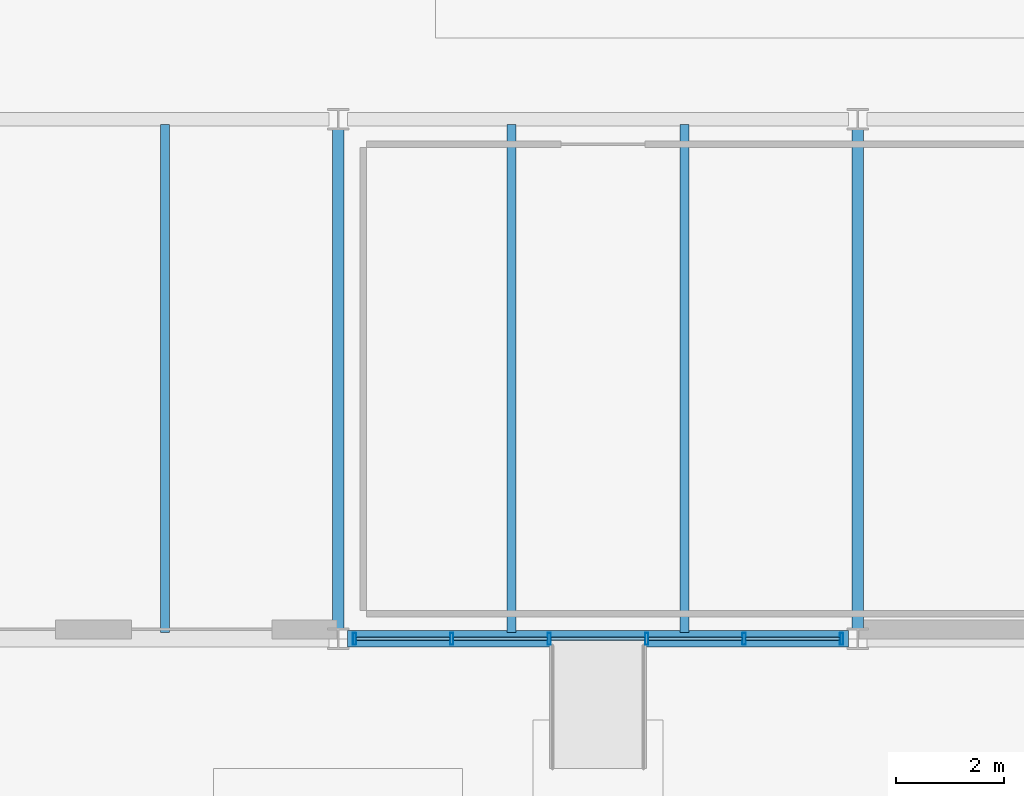
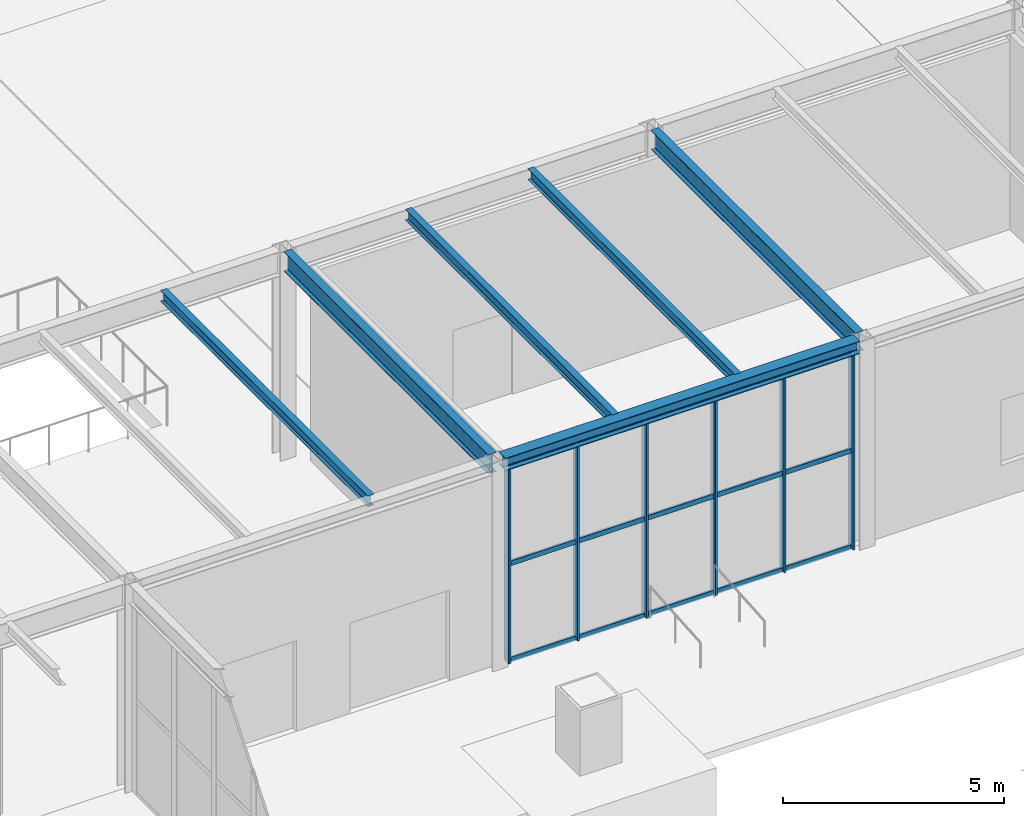
# One storey, part 66 of 142: 21 members, 6 beams, 1 element without a shape of its own.
"""IFC4 building model written with IfcOpenShell, lengths in metres."""

from ifc_helpers import new_model, si_unit, direction, frame, origin, origin_2d, place, context, subcontext, project, spatial, hollow_rectangle, i_section, extrude, material, material_profile, profile_set, type_object, element, aggregate, save


model = new_model("IFC4")

# Units and contexts
model_context = context("Model", 3, precision=1e-05, world=origin(), true_north=direction((0.0, 1.0)))
body_context = subcontext(model_context, "Body", "Model", "MODEL_VIEW")
ifc_project = project(units=[si_unit("LENGTHUNIT", "METRE"), si_unit("AREAUNIT", "SQUARE_METRE"), si_unit("VOLUMEUNIT", "CUBIC_METRE"), si_unit("PLANEANGLEUNIT", "RADIAN"), si_unit("MASSUNIT", "GRAM", prefix="KILO")], contexts=[model_context])

# Site, building, storey
site_placement = place(None, origin())
site = spatial("IfcSite", under=ifc_project, at=site_placement, CompositionType="ELEMENT")
building_placement = place(site_placement, origin())
building = spatial("IfcBuilding", under=site, at=building_placement, Name="Coralgate Yard Interchange", CompositionType="ELEMENT")
storey_placement = place(building_placement, origin())
storey = spatial("IfcBuildingStorey", under=building, at=storey_placement, Name="L00", CompositionType="ELEMENT", Elevation=0.0)

# Beams
ifc_material_1 = material(Name="Structural steel S355J2", Category="steel")
ifc_material_profile_1 = material_profile(ifc_material_1, i_section(OverallWidth=0.209228515625, OverallDepth=0.533203125, WebThickness=0.010009765625, FlangeThickness=0.015625, FilletRadius=0.0126953125, at=origin_2d()), Name="UB 533x210x92")
ifc_profile_set_1 = profile_set([ifc_material_profile_1], Name="Structural steel S355J2")
beam_type_1 = type_object("IfcBeamType", Name="BM-SB-1", PredefinedType="BEAM", material=ifc_profile_set_1)
for number, where, z_axis, x_axis, name in (
    (1, (67.199951171875, 38.56689453125, 5.4833984375), (0.0, 1.0, 0.0), (-1.0, 0.0, 0.0), "L00 primary grid girder X7 Y4-5"),
    (2, (76.800048828125, 38.56689453125, 5.4833984375), (0.0, 1.0, 0.0), (-1.0, 0.0, 0.0), "L00 primary grid girder X8 Y4-5"),
):
    element("IfcBeam", number, at=place(storey_placement, frame(where, z_axis=z_axis, x_axis=x_axis)), inside=storey, type_object=beam_type_1, Name=name, PredefinedType="BEAM", context=body_context, shape_type="SweptSolid", body=[
        extrude(i_section(OverallWidth=0.209228515625, OverallDepth=0.533203125, WebThickness=0.010009765625, FlangeThickness=0.015625, FilletRadius=0.0126953125, at=origin_2d()), origin(), (0.0, 0.0, 1.0), 9.266357421875),
    ])
ifc_material_profile_2 = material_profile(ifc_material_1, i_section(OverallWidth=0.1650390625, OverallDepth=0.303466796875, WebThickness=0.006103515625, FlangeThickness=0.01025390625, FilletRadius=0.0087890625, at=origin_2d()), Name="UB 305x165x40")
ifc_profile_set_2 = profile_set([ifc_material_profile_2], Name="Structural steel S355J2")
beam_type_2 = type_object("IfcBeamType", Name="BM-SJ-1", PredefinedType="JOIST", material=ifc_profile_set_2)
for number, where, z_axis, x_axis, name in (
    (3, (64.0, 38.52001953125, 5.598388671875), (0.0, 1.0, 0.0), (-1.0, 0.0, 0.0), "L00 composite floor joist 6-4-2"),
    (4, (70.39990234375, 38.52001953125, 5.598388671875), (0.0, 1.0, 0.0), (-1.0, 0.0, 0.0), "L00 composite floor joist 7-4-1"),
    (5, (73.60009765625, 38.52001953125, 5.598388671875), (0.0, 1.0, 0.0), (-1.0, 0.0, 0.0), "L00 composite floor joist 7-4-2"),
):
    element("IfcBeam", number, at=place(storey_placement, frame(where, z_axis=z_axis, x_axis=x_axis)), inside=storey, type_object=beam_type_2, Name=name, PredefinedType="JOIST", context=body_context, shape_type="SweptSolid", body=[
        extrude(i_section(OverallWidth=0.1650390625, OverallDepth=0.303466796875, WebThickness=0.006103515625, FlangeThickness=0.01025390625, FilletRadius=0.0087890625, at=origin_2d()), origin(), (0.0, 0.0, 1.0), 9.383056640625),
    ])
ifc_material_profile_3 = material_profile(ifc_material_1, i_section(OverallWidth=0.300048828125, OverallDepth=0.35009765625, WebThickness=0.010009765625, FlangeThickness=0.017578125, FilletRadius=0.027099609375, at=origin_2d()), Name="HEA 360")
ifc_profile_set_3 = profile_set([ifc_material_profile_3], Name="Structural steel S355J2")
beam_type_3 = type_object("IfcBeamType", Name="BM-SP-1", PredefinedType="SPANDREL", material=ifc_profile_set_3)
beam_placement = place(storey_placement, frame((67.369384765625, 38.39990234375, 5.574951171875), z_axis=(1.0, 0.0, 0.0), x_axis=(0.0, 1.0, 0.0)))
element("IfcBeam", 6, at=beam_placement, inside=storey, type_object=beam_type_3, Name="L00 primary grid beam Y4 X7-8", PredefinedType="SPANDREL", context=body_context, shape_type="SweptSolid", body=[
    extrude(i_section(OverallWidth=0.300048828125, OverallDepth=0.35009765625, WebThickness=0.010009765625, FlangeThickness=0.017578125, FilletRadius=0.027099609375, at=origin_2d()), origin(), (0.0, 0.0, 1.0), 9.26123046875),
])

# Curtain wall, members
ifc_material_2 = material(Name="Anodised coastal aluminium and solar-control low-E glass", Category="aluminium")
curtain_wall_type = type_object("IfcCurtainWallType", Name="CW-CW-L00-A", PredefinedType="NOTDEFINED", material=ifc_material_2)
curtain_wall_placement = place(storey_placement, origin())
curtain_wall = element("IfcCurtainWall", 7, at=curtain_wall_placement, inside=storey, type_object=curtain_wall_type, Name="L00 unitised curtain wall CW-L00-S-07-04", PredefinedType="NOTDEFINED")
ifc_material_3 = material(Name="Anodised coastal aluminium 6063-T6", Category="aluminium")
ifc_material_profile_4 = material_profile(ifc_material_3, hollow_rectangle(XDim=0.06005859375, YDim=0.219970703125, WallThickness=0.00390625, InnerFilletRadius=0.00390625, OuterFilletRadius=0.008056640625, at=origin_2d()), Name="ALU 60x220x4")
ifc_profile_set_4 = profile_set([ifc_material_profile_4], Name="Anodised coastal aluminium 6063-T6")
member_type_1 = type_object("IfcMemberType", Name="MB-MUL-220", PredefinedType="MULLION", material=ifc_profile_set_4)
member_1_placement = place(storey_placement, frame((76.5, 38.39990234375, 0.0), z_axis=(0.0, 0.0, 1.0), x_axis=(1.0, 0.0, 0.0)))
member_1 = element("IfcMember", 8, at=member_1_placement, type_object=member_type_1, Name="CW-L00-S-07-04 vertical mullion 1", PredefinedType="MULLION", context=body_context, shape_type="SweptSolid", body=[
    extrude(hollow_rectangle(XDim=0.06005859375, YDim=0.219970703125, WallThickness=0.00390625, InnerFilletRadius=0.00390625, OuterFilletRadius=0.008056640625, at=origin_2d()), origin(), (0.0, 0.0, 1.0), 5.39990234375),
])
member_2_placement = place(storey_placement, frame((74.699951171875, 38.39990234375, 0.0), z_axis=(0.0, 0.0, 1.0), x_axis=(1.0, 0.0, 0.0)))
member_2 = element("IfcMember", 9, at=member_2_placement, type_object=member_type_1, Name="CW-L00-S-07-04 vertical mullion 2", PredefinedType="MULLION", context=body_context, shape_type="SweptSolid", body=[
    extrude(hollow_rectangle(XDim=0.06005859375, YDim=0.219970703125, WallThickness=0.00390625, InnerFilletRadius=0.00390625, OuterFilletRadius=0.008056640625, at=origin_2d()), origin(), (0.0, 0.0, 1.0), 5.39990234375),
])
member_3_placement = place(storey_placement, frame((72.89990234375, 38.39990234375, 0.0), z_axis=(0.0, 0.0, 1.0), x_axis=(1.0, 0.0, 0.0)))
member_3 = element("IfcMember", 10, at=member_3_placement, type_object=member_type_1, Name="CW-L00-S-07-04 vertical mullion 3", PredefinedType="MULLION", context=body_context, shape_type="SweptSolid", body=[
    extrude(hollow_rectangle(XDim=0.06005859375, YDim=0.219970703125, WallThickness=0.00390625, InnerFilletRadius=0.00390625, OuterFilletRadius=0.008056640625, at=origin_2d()), origin(), (0.0, 0.0, 1.0), 5.39990234375),
])
member_4_placement = place(storey_placement, frame((71.10009765625, 38.39990234375, 0.0), z_axis=(0.0, 0.0, 1.0), x_axis=(1.0, 0.0, 0.0)))
member_4 = element("IfcMember", 11, at=member_4_placement, type_object=member_type_1, Name="CW-L00-S-07-04 vertical mullion 4", PredefinedType="MULLION", context=body_context, shape_type="SweptSolid", body=[
    extrude(hollow_rectangle(XDim=0.06005859375, YDim=0.219970703125, WallThickness=0.00390625, InnerFilletRadius=0.00390625, OuterFilletRadius=0.008056640625, at=origin_2d()), origin(), (0.0, 0.0, 1.0), 5.39990234375),
])
member_5_placement = place(storey_placement, frame((69.300048828125, 38.39990234375, 0.0), z_axis=(0.0, 0.0, 1.0), x_axis=(1.0, 0.0, 0.0)))
member_5 = element("IfcMember", 12, at=member_5_placement, type_object=member_type_1, Name="CW-L00-S-07-04 vertical mullion 5", PredefinedType="MULLION", context=body_context, shape_type="SweptSolid", body=[
    extrude(hollow_rectangle(XDim=0.06005859375, YDim=0.219970703125, WallThickness=0.00390625, InnerFilletRadius=0.00390625, OuterFilletRadius=0.008056640625, at=origin_2d()), origin(), (0.0, 0.0, 1.0), 5.39990234375),
])
member_6_placement = place(storey_placement, frame((67.5, 38.39990234375, 0.0), z_axis=(0.0, 0.0, 1.0), x_axis=(1.0, 0.0, 0.0)))
member_6 = element("IfcMember", 13, at=member_6_placement, type_object=member_type_1, Name="CW-L00-S-07-04 vertical mullion 6", PredefinedType="MULLION", context=body_context, shape_type="SweptSolid", body=[
    extrude(hollow_rectangle(XDim=0.06005859375, YDim=0.219970703125, WallThickness=0.00390625, InnerFilletRadius=0.00390625, OuterFilletRadius=0.008056640625, at=origin_2d()), origin(), (0.0, 0.0, 1.0), 5.39990234375),
])
ifc_material_profile_5 = material_profile(ifc_material_3, hollow_rectangle(XDim=0.06005859375, YDim=0.139892578125, WallThickness=0.00341796875, InnerFilletRadius=0.00341796875, OuterFilletRadius=0.007080078125, at=origin_2d()), Name="ALU 60x140x3.5")
ifc_profile_set_5 = profile_set([ifc_material_profile_5], Name="Anodised coastal aluminium 6063-T6")
member_type_2 = type_object("IfcMemberType", Name="MB-TRN-140", PredefinedType="USERDEFINED", material=ifc_profile_set_5)
member_7_placement = place(storey_placement, frame((76.469970703125, 38.39990234375, 0.034912109375), z_axis=(-1.0, 0.0, 0.0), x_axis=(0.0, -1.0, 0.0)))
member_7 = element("IfcMember", 14, at=member_7_placement, type_object=member_type_2, Name="CW-L00-S-07-04 horizontal transom 1-1", ObjectType="TRANSOM", PredefinedType="USERDEFINED", context=body_context, shape_type="SweptSolid", body=[
    extrude(hollow_rectangle(XDim=0.06005859375, YDim=0.139892578125, WallThickness=0.00341796875, InnerFilletRadius=0.00341796875, OuterFilletRadius=0.007080078125, at=origin_2d()), origin(), (0.0, 0.0, 1.0), 1.739990234375),
])
member_8_placement = place(storey_placement, frame((76.469970703125, 38.39990234375, 2.699951171875), z_axis=(-1.0, 0.0, 0.0), x_axis=(0.0, -1.0, 0.0)))
member_8 = element("IfcMember", 15, at=member_8_placement, type_object=member_type_2, Name="CW-L00-S-07-04 horizontal transom 1-2", ObjectType="TRANSOM", PredefinedType="USERDEFINED", context=body_context, shape_type="SweptSolid", body=[
    extrude(hollow_rectangle(XDim=0.06005859375, YDim=0.139892578125, WallThickness=0.00341796875, InnerFilletRadius=0.00341796875, OuterFilletRadius=0.007080078125, at=origin_2d()), origin(), (0.0, 0.0, 1.0), 1.739990234375),
])
member_9_placement = place(storey_placement, frame((76.469970703125, 38.39990234375, 5.364990234375), z_axis=(-1.0, 0.0, 0.0), x_axis=(0.0, -1.0, 0.0)))
member_9 = element("IfcMember", 16, at=member_9_placement, type_object=member_type_2, Name="CW-L00-S-07-04 horizontal transom 1-3", ObjectType="TRANSOM", PredefinedType="USERDEFINED", context=body_context, shape_type="SweptSolid", body=[
    extrude(hollow_rectangle(XDim=0.06005859375, YDim=0.139892578125, WallThickness=0.00341796875, InnerFilletRadius=0.00341796875, OuterFilletRadius=0.007080078125, at=origin_2d()), origin(), (0.0, 0.0, 1.0), 1.739990234375),
])
member_10_placement = place(storey_placement, frame((74.669921875, 38.39990234375, 0.034912109375), z_axis=(-1.0, 0.0, 0.0), x_axis=(0.0, -1.0, 0.0)))
member_10 = element("IfcMember", 17, at=member_10_placement, type_object=member_type_2, Name="CW-L00-S-07-04 horizontal transom 2-1", ObjectType="TRANSOM", PredefinedType="USERDEFINED", context=body_context, shape_type="SweptSolid", body=[
    extrude(hollow_rectangle(XDim=0.06005859375, YDim=0.139892578125, WallThickness=0.00341796875, InnerFilletRadius=0.00341796875, OuterFilletRadius=0.007080078125, at=origin_2d()), origin(), (0.0, 0.0, 1.0), 1.739990234375),
])
member_11_placement = place(storey_placement, frame((74.669921875, 38.39990234375, 2.699951171875), z_axis=(-1.0, 0.0, 0.0), x_axis=(0.0, -1.0, 0.0)))
member_11 = element("IfcMember", 18, at=member_11_placement, type_object=member_type_2, Name="CW-L00-S-07-04 horizontal transom 2-2", ObjectType="TRANSOM", PredefinedType="USERDEFINED", context=body_context, shape_type="SweptSolid", body=[
    extrude(hollow_rectangle(XDim=0.06005859375, YDim=0.139892578125, WallThickness=0.00341796875, InnerFilletRadius=0.00341796875, OuterFilletRadius=0.007080078125, at=origin_2d()), origin(), (0.0, 0.0, 1.0), 1.739990234375),
])
member_12_placement = place(storey_placement, frame((74.669921875, 38.39990234375, 5.364990234375), z_axis=(-1.0, 0.0, 0.0), x_axis=(0.0, -1.0, 0.0)))
member_12 = element("IfcMember", 19, at=member_12_placement, type_object=member_type_2, Name="CW-L00-S-07-04 horizontal transom 2-3", ObjectType="TRANSOM", PredefinedType="USERDEFINED", context=body_context, shape_type="SweptSolid", body=[
    extrude(hollow_rectangle(XDim=0.06005859375, YDim=0.139892578125, WallThickness=0.00341796875, InnerFilletRadius=0.00341796875, OuterFilletRadius=0.007080078125, at=origin_2d()), origin(), (0.0, 0.0, 1.0), 1.739990234375),
])
member_13_placement = place(storey_placement, frame((72.8701171875, 38.39990234375, 0.034912109375), z_axis=(-1.0, 0.0, 0.0), x_axis=(0.0, -1.0, 0.0)))
member_13 = element("IfcMember", 20, at=member_13_placement, type_object=member_type_2, Name="CW-L00-S-07-04 horizontal transom 3-1", ObjectType="TRANSOM", PredefinedType="USERDEFINED", context=body_context, shape_type="SweptSolid", body=[
    extrude(hollow_rectangle(XDim=0.06005859375, YDim=0.139892578125, WallThickness=0.00341796875, InnerFilletRadius=0.00341796875, OuterFilletRadius=0.007080078125, at=origin_2d()), origin(), (0.0, 0.0, 1.0), 1.740234375),
])
member_14_placement = place(storey_placement, frame((72.8701171875, 38.39990234375, 2.699951171875), z_axis=(-1.0, 0.0, 0.0), x_axis=(0.0, -1.0, 0.0)))
member_14 = element("IfcMember", 21, at=member_14_placement, type_object=member_type_2, Name="CW-L00-S-07-04 horizontal transom 3-2", ObjectType="TRANSOM", PredefinedType="USERDEFINED", context=body_context, shape_type="SweptSolid", body=[
    extrude(hollow_rectangle(XDim=0.06005859375, YDim=0.139892578125, WallThickness=0.00341796875, InnerFilletRadius=0.00341796875, OuterFilletRadius=0.007080078125, at=origin_2d()), origin(), (0.0, 0.0, 1.0), 1.740234375),
])
member_15_placement = place(storey_placement, frame((72.8701171875, 38.39990234375, 5.364990234375), z_axis=(-1.0, 0.0, 0.0), x_axis=(0.0, -1.0, 0.0)))
member_15 = element("IfcMember", 22, at=member_15_placement, type_object=member_type_2, Name="CW-L00-S-07-04 horizontal transom 3-3", ObjectType="TRANSOM", PredefinedType="USERDEFINED", context=body_context, shape_type="SweptSolid", body=[
    extrude(hollow_rectangle(XDim=0.06005859375, YDim=0.139892578125, WallThickness=0.00341796875, InnerFilletRadius=0.00341796875, OuterFilletRadius=0.007080078125, at=origin_2d()), origin(), (0.0, 0.0, 1.0), 1.740234375),
])
member_16_placement = place(storey_placement, frame((71.070068359375, 38.39990234375, 0.034912109375), z_axis=(-1.0, 0.0, 0.0), x_axis=(0.0, -1.0, 0.0)))
member_16 = element("IfcMember", 23, at=member_16_placement, type_object=member_type_2, Name="CW-L00-S-07-04 horizontal transom 4-1", ObjectType="TRANSOM", PredefinedType="USERDEFINED", context=body_context, shape_type="SweptSolid", body=[
    extrude(hollow_rectangle(XDim=0.06005859375, YDim=0.139892578125, WallThickness=0.00341796875, InnerFilletRadius=0.00341796875, OuterFilletRadius=0.007080078125, at=origin_2d()), origin(), (0.0, 0.0, 1.0), 1.739990234375),
])
member_17_placement = place(storey_placement, frame((71.070068359375, 38.39990234375, 2.699951171875), z_axis=(-1.0, 0.0, 0.0), x_axis=(0.0, -1.0, 0.0)))
member_17 = element("IfcMember", 24, at=member_17_placement, type_object=member_type_2, Name="CW-L00-S-07-04 horizontal transom 4-2", ObjectType="TRANSOM", PredefinedType="USERDEFINED", context=body_context, shape_type="SweptSolid", body=[
    extrude(hollow_rectangle(XDim=0.06005859375, YDim=0.139892578125, WallThickness=0.00341796875, InnerFilletRadius=0.00341796875, OuterFilletRadius=0.007080078125, at=origin_2d()), origin(), (0.0, 0.0, 1.0), 1.739990234375),
])
member_18_placement = place(storey_placement, frame((71.070068359375, 38.39990234375, 5.364990234375), z_axis=(-1.0, 0.0, 0.0), x_axis=(0.0, -1.0, 0.0)))
member_18 = element("IfcMember", 25, at=member_18_placement, type_object=member_type_2, Name="CW-L00-S-07-04 horizontal transom 4-3", ObjectType="TRANSOM", PredefinedType="USERDEFINED", context=body_context, shape_type="SweptSolid", body=[
    extrude(hollow_rectangle(XDim=0.06005859375, YDim=0.139892578125, WallThickness=0.00341796875, InnerFilletRadius=0.00341796875, OuterFilletRadius=0.007080078125, at=origin_2d()), origin(), (0.0, 0.0, 1.0), 1.739990234375),
])
member_19_placement = place(storey_placement, frame((69.27001953125, 38.39990234375, 0.034912109375), z_axis=(-1.0, 0.0, 0.0), x_axis=(0.0, -1.0, 0.0)))
member_19 = element("IfcMember", 26, at=member_19_placement, type_object=member_type_2, Name="CW-L00-S-07-04 horizontal transom 5-1", ObjectType="TRANSOM", PredefinedType="USERDEFINED", context=body_context, shape_type="SweptSolid", body=[
    extrude(hollow_rectangle(XDim=0.06005859375, YDim=0.139892578125, WallThickness=0.00341796875, InnerFilletRadius=0.00341796875, OuterFilletRadius=0.007080078125, at=origin_2d()), origin(), (0.0, 0.0, 1.0), 1.739990234375),
])
member_20_placement = place(storey_placement, frame((69.27001953125, 38.39990234375, 2.699951171875), z_axis=(-1.0, 0.0, 0.0), x_axis=(0.0, -1.0, 0.0)))
member_20 = element("IfcMember", 27, at=member_20_placement, type_object=member_type_2, Name="CW-L00-S-07-04 horizontal transom 5-2", ObjectType="TRANSOM", PredefinedType="USERDEFINED", context=body_context, shape_type="SweptSolid", body=[
    extrude(hollow_rectangle(XDim=0.06005859375, YDim=0.139892578125, WallThickness=0.00341796875, InnerFilletRadius=0.00341796875, OuterFilletRadius=0.007080078125, at=origin_2d()), origin(), (0.0, 0.0, 1.0), 1.739990234375),
])
member_21_placement = place(storey_placement, frame((69.27001953125, 38.39990234375, 5.364990234375), z_axis=(-1.0, 0.0, 0.0), x_axis=(0.0, -1.0, 0.0)))
member_21 = element("IfcMember", 28, at=member_21_placement, type_object=member_type_2, Name="CW-L00-S-07-04 horizontal transom 5-3", ObjectType="TRANSOM", PredefinedType="USERDEFINED", context=body_context, shape_type="SweptSolid", body=[
    extrude(hollow_rectangle(XDim=0.06005859375, YDim=0.139892578125, WallThickness=0.00341796875, InnerFilletRadius=0.00341796875, OuterFilletRadius=0.007080078125, at=origin_2d()), origin(), (0.0, 0.0, 1.0), 1.739990234375),
])
aggregate(curtain_wall, [member_1, member_2, member_3, member_4, member_5, member_6, member_7, member_8, member_9, member_10, member_11, member_12, member_13, member_14, member_15, member_16, member_17, member_18, member_19, member_20, member_21])

save(model, "model.ifc")
